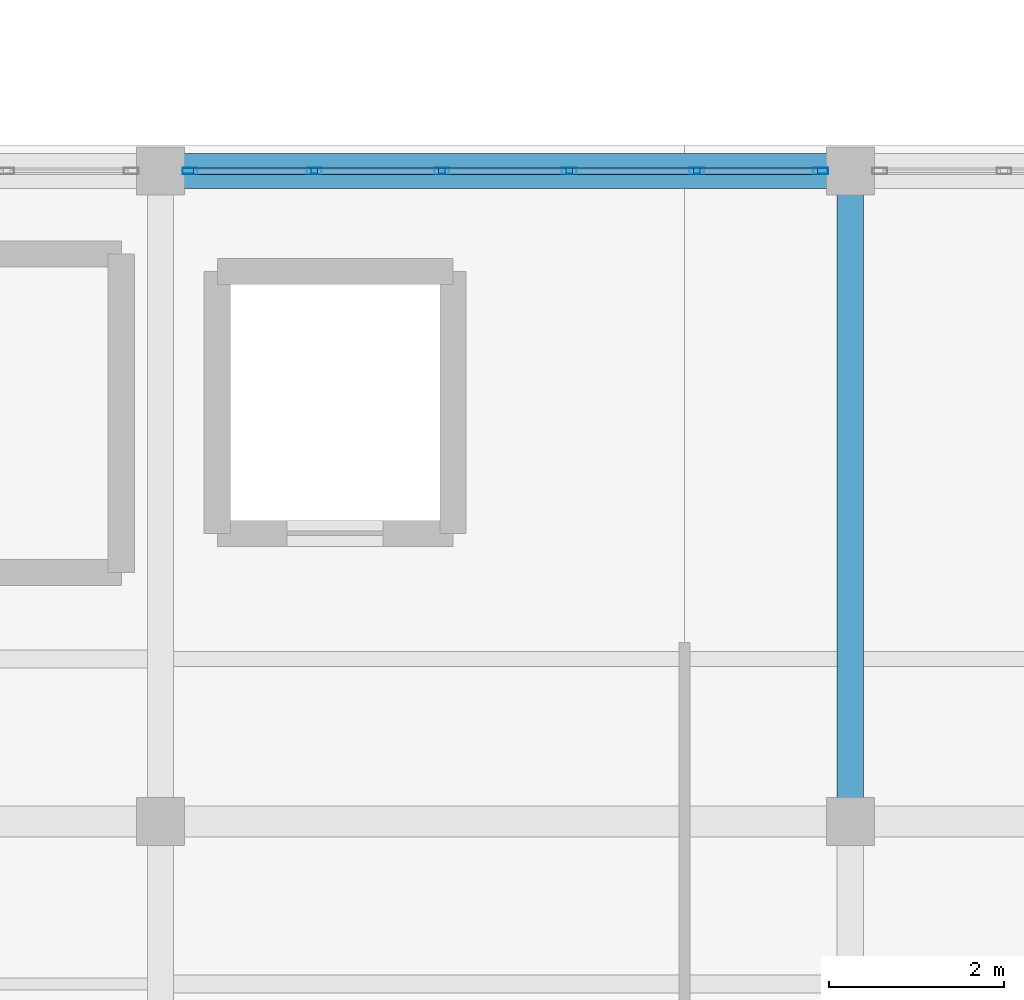
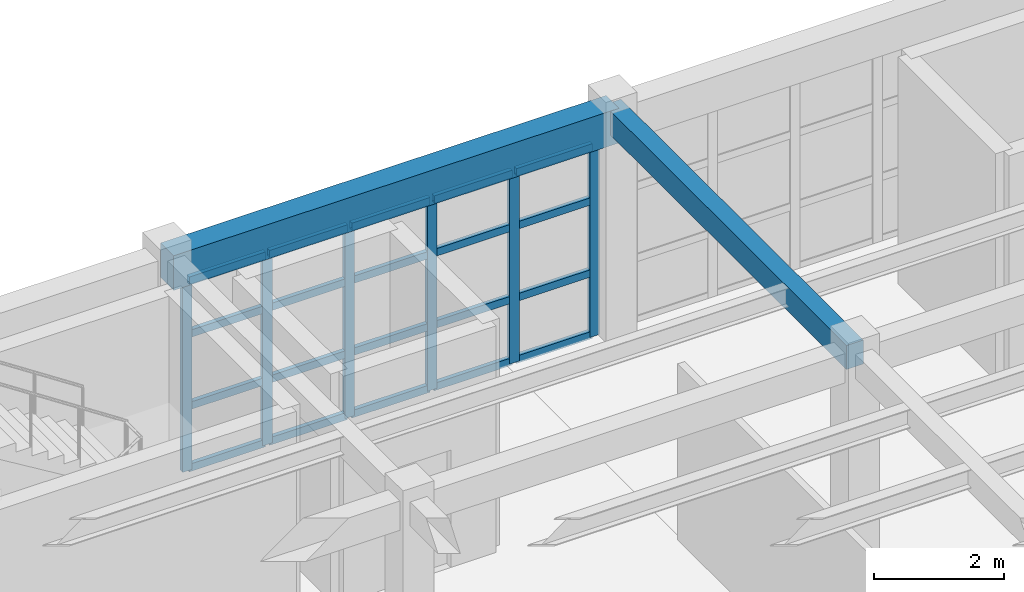
# One storey, part 11 of 85: 26 members, 2 beams, 1 element without a shape of its own.
"""IFC4 building model written with IfcOpenShell, lengths in metres."""

from ifc_helpers import new_model, si_unit, direction, frame, origin, origin_2d, place, context, subcontext, project, spatial, rectangle, hollow_rectangle, extrude, material, layer, layer_set, material_profile, profile_set, type_object, element, aggregate, save


model = new_model("IFC4")

# Units and contexts
model_context = context("Model", 3, precision=1e-05, world=origin(), true_north=direction((0.0, 1.0)))
body_context = subcontext(model_context, "Body", "Model", "MODEL_VIEW")
ifc_project = project(units=[si_unit("LENGTHUNIT", "METRE"), si_unit("AREAUNIT", "SQUARE_METRE"), si_unit("VOLUMEUNIT", "CUBIC_METRE"), si_unit("PLANEANGLEUNIT", "RADIAN"), si_unit("MASSUNIT", "GRAM", prefix="KILO")], contexts=[model_context])

# Site, building, storey
site_placement = place(None, origin())
site = spatial("IfcSite", under=ifc_project, at=site_placement, CompositionType="ELEMENT")
building_placement = place(site_placement, origin())
building = spatial("IfcBuilding", under=site, at=building_placement, Name="Candilejo Ridge Gondola Terminal", CompositionType="ELEMENT")
storey_placement = place(building_placement, frame((0.0, 0.0, 4.5)))
storey = spatial("IfcBuildingStorey", under=building, at=storey_placement, Name="L01", CompositionType="ELEMENT", Elevation=4.5)

# Curtain wall, members
ifc_material_1 = material(Name="Anodised aluminium AA 6063-T6", Category="aluminium")
ifc_layer = layer(ifc_material_1, 0.169921875)
ifc_layer_set = layer_set([ifc_layer], Name="ARC-CW-CONCOURSE-3600-730X359")
curtain_wall_type = type_object("IfcCurtainWallType", Name="ARC-CW-CONCOURSE-3600-730X359", PredefinedType="NOTDEFINED", material=ifc_layer_set)
curtain_wall_placement = place(storey_placement, origin())
curtain_wall = element("IfcCurtainWall", 1, at=curtain_wall_placement, inside=storey, type_object=curtain_wall_type, Name="Curtain wall V1 L01-006", PredefinedType="NOTDEFINED")
ifc_material_2 = material(Name="Anodised aluminium AA 6063-T6", Category="aluminium")
ifc_material_profile_1 = material_profile(ifc_material_2, hollow_rectangle(XDim=0.074951171875, YDim=0.169921875, WallThickness=0.00390625, at=origin_2d()))
ifc_profile_set_1 = profile_set([ifc_material_profile_1], Name="Anodised aluminium AA 6063-T6")
member_type_1 = type_object("IfcMemberType", Name="ARC-CW-MULLION", PredefinedType="MULLION", material=ifc_profile_set_1)
member_1_placement = place(storey_placement, frame((12.53759765625, 25.699951171875, 0.0), z_axis=(0.0, 0.0, 1.0), x_axis=(0.0, 1.0, 0.0)))
member_1 = element("IfcMember", 2, at=member_1_placement, type_object=member_type_1, Name="CW-73X35 mullion 1", PredefinedType="MULLION", context=body_context, shape_type="SweptSolid", body=[
    extrude(hollow_rectangle(XDim=0.074951171875, YDim=0.169921875, WallThickness=0.00390625, at=origin_2d()), origin(), (0.0, 0.0, 1.0), 3.590087890625),
])
member_2_placement = place(storey_placement, frame((13.9599609375, 25.699951171875, 0.0), z_axis=(0.0, 0.0, 1.0), x_axis=(0.0, 1.0, 0.0)))
member_2 = element("IfcMember", 3, at=member_2_placement, type_object=member_type_1, Name="CW-73X35 mullion 2", PredefinedType="MULLION", context=body_context, shape_type="SweptSolid", body=[
    extrude(hollow_rectangle(XDim=0.074951171875, YDim=0.169921875, WallThickness=0.00390625, at=origin_2d()), origin(), (0.0, 0.0, 1.0), 3.590087890625),
])
member_3_placement = place(storey_placement, frame((15.419921875, 25.699951171875, 0.0), z_axis=(0.0, 0.0, 1.0), x_axis=(0.0, 1.0, 0.0)))
member_3 = element("IfcMember", 4, at=member_3_placement, type_object=member_type_1, Name="CW-73X35 mullion 3", PredefinedType="MULLION", context=body_context, shape_type="SweptSolid", body=[
    extrude(hollow_rectangle(XDim=0.074951171875, YDim=0.169921875, WallThickness=0.00390625, at=origin_2d()), origin(), (0.0, 0.0, 1.0), 3.590087890625),
])
member_4_placement = place(storey_placement, frame((16.8798828125, 25.699951171875, 0.0), z_axis=(0.0, 0.0, 1.0), x_axis=(0.0, 1.0, 0.0)))
member_4 = element("IfcMember", 5, at=member_4_placement, type_object=member_type_1, Name="CW-73X35 mullion 4", PredefinedType="MULLION", context=body_context, shape_type="SweptSolid", body=[
    extrude(hollow_rectangle(XDim=0.074951171875, YDim=0.169921875, WallThickness=0.00390625, at=origin_2d()), origin(), (0.0, 0.0, 1.0), 3.590087890625),
])
member_5_placement = place(storey_placement, frame((18.340087890625, 25.699951171875, 0.0), z_axis=(0.0, 0.0, 1.0), x_axis=(0.0, 1.0, 0.0)))
member_5 = element("IfcMember", 6, at=member_5_placement, type_object=member_type_1, Name="CW-73X35 mullion 5", PredefinedType="MULLION", context=body_context, shape_type="SweptSolid", body=[
    extrude(hollow_rectangle(XDim=0.074951171875, YDim=0.169921875, WallThickness=0.00390625, at=origin_2d()), origin(), (0.0, 0.0, 1.0), 3.590087890625),
])
member_6_placement = place(storey_placement, frame((19.762451171875, 25.699951171875, 0.0), z_axis=(0.0, 0.0, 1.0), x_axis=(0.0, 1.0, 0.0)))
member_6 = element("IfcMember", 7, at=member_6_placement, type_object=member_type_1, Name="CW-73X35 mullion 6", PredefinedType="MULLION", context=body_context, shape_type="SweptSolid", body=[
    extrude(hollow_rectangle(XDim=0.074951171875, YDim=0.169921875, WallThickness=0.00390625, at=origin_2d()), origin(), (0.0, 0.0, 1.0), 3.590087890625),
])
ifc_material_3 = material(Name="Anodised aluminium AA 6063-T6", Category="aluminium")
ifc_material_profile_2 = material_profile(ifc_material_3, hollow_rectangle(XDim=0.074951171875, YDim=0.139892578125, WallThickness=0.00390625, at=origin_2d()))
ifc_profile_set_2 = profile_set([ifc_material_profile_2], Name="Anodised aluminium AA 6063-T6")
member_type_2 = type_object("IfcMemberType", Name="ARC-CW-TRANSOM", PredefinedType="USERDEFINED", material=ifc_profile_set_2)
member_7_placement = place(storey_placement, frame((12.574951171875, 25.699951171875, 0.03759765625), z_axis=(1.0, 0.0, 0.0), x_axis=(0.0, 1.0, 0.0)))
member_7 = element("IfcMember", 8, at=member_7_placement, type_object=member_type_2, Name="CW-73X35 transom 1.1", ObjectType="TRANSOM", PredefinedType="USERDEFINED", context=body_context, shape_type="SweptSolid", body=[
    extrude(hollow_rectangle(XDim=0.074951171875, YDim=0.139892578125, WallThickness=0.00390625, at=origin_2d()), origin(), (0.0, 0.0, 1.0), 1.34765625),
])
member_8_placement = place(storey_placement, frame((12.574951171875, 25.699951171875, 1.199951171875), z_axis=(1.0, 0.0, 0.0), x_axis=(0.0, 1.0, 0.0)))
member_8 = element("IfcMember", 9, at=member_8_placement, type_object=member_type_2, Name="CW-73X35 transom 1.2", ObjectType="TRANSOM", PredefinedType="USERDEFINED", context=body_context, shape_type="SweptSolid", body=[
    extrude(hollow_rectangle(XDim=0.074951171875, YDim=0.139892578125, WallThickness=0.00390625, at=origin_2d()), origin(), (0.0, 0.0, 1.0), 1.34765625),
])
member_9_placement = place(storey_placement, frame((12.574951171875, 25.699951171875, 2.550048828125), z_axis=(1.0, 0.0, 0.0), x_axis=(0.0, 1.0, 0.0)))
member_9 = element("IfcMember", 10, at=member_9_placement, type_object=member_type_2, Name="CW-73X35 transom 1.3", ObjectType="TRANSOM", PredefinedType="USERDEFINED", context=body_context, shape_type="SweptSolid", body=[
    extrude(hollow_rectangle(XDim=0.074951171875, YDim=0.139892578125, WallThickness=0.00390625, at=origin_2d()), origin(), (0.0, 0.0, 1.0), 1.34765625),
])
member_10_placement = place(storey_placement, frame((12.574951171875, 25.699951171875, 3.552490234375), z_axis=(1.0, 0.0, 0.0), x_axis=(0.0, 1.0, 0.0)))
member_10 = element("IfcMember", 11, at=member_10_placement, type_object=member_type_2, Name="CW-73X35 transom 1.4", ObjectType="TRANSOM", PredefinedType="USERDEFINED", context=body_context, shape_type="SweptSolid", body=[
    extrude(hollow_rectangle(XDim=0.074951171875, YDim=0.139892578125, WallThickness=0.00390625, at=origin_2d()), origin(), (0.0, 0.0, 1.0), 1.34765625),
])
member_11_placement = place(storey_placement, frame((13.99755859375, 25.699951171875, 0.03759765625), z_axis=(1.0, 0.0, 0.0), x_axis=(0.0, 1.0, 0.0)))
member_11 = element("IfcMember", 12, at=member_11_placement, type_object=member_type_2, Name="CW-73X35 transom 2.1", ObjectType="TRANSOM", PredefinedType="USERDEFINED", context=body_context, shape_type="SweptSolid", body=[
    extrude(hollow_rectangle(XDim=0.074951171875, YDim=0.139892578125, WallThickness=0.00390625, at=origin_2d()), origin(), (0.0, 0.0, 1.0), 1.385009765625),
])
member_12_placement = place(storey_placement, frame((13.99755859375, 25.699951171875, 1.199951171875), z_axis=(1.0, 0.0, 0.0), x_axis=(0.0, 1.0, 0.0)))
member_12 = element("IfcMember", 13, at=member_12_placement, type_object=member_type_2, Name="CW-73X35 transom 2.2", ObjectType="TRANSOM", PredefinedType="USERDEFINED", context=body_context, shape_type="SweptSolid", body=[
    extrude(hollow_rectangle(XDim=0.074951171875, YDim=0.139892578125, WallThickness=0.00390625, at=origin_2d()), origin(), (0.0, 0.0, 1.0), 1.385009765625),
])
member_13_placement = place(storey_placement, frame((13.99755859375, 25.699951171875, 2.550048828125), z_axis=(1.0, 0.0, 0.0), x_axis=(0.0, 1.0, 0.0)))
member_13 = element("IfcMember", 14, at=member_13_placement, type_object=member_type_2, Name="CW-73X35 transom 2.3", ObjectType="TRANSOM", PredefinedType="USERDEFINED", context=body_context, shape_type="SweptSolid", body=[
    extrude(hollow_rectangle(XDim=0.074951171875, YDim=0.139892578125, WallThickness=0.00390625, at=origin_2d()), origin(), (0.0, 0.0, 1.0), 1.385009765625),
])
member_14_placement = place(storey_placement, frame((13.99755859375, 25.699951171875, 3.552490234375), z_axis=(1.0, 0.0, 0.0), x_axis=(0.0, 1.0, 0.0)))
member_14 = element("IfcMember", 15, at=member_14_placement, type_object=member_type_2, Name="CW-73X35 transom 2.4", ObjectType="TRANSOM", PredefinedType="USERDEFINED", context=body_context, shape_type="SweptSolid", body=[
    extrude(hollow_rectangle(XDim=0.074951171875, YDim=0.139892578125, WallThickness=0.00390625, at=origin_2d()), origin(), (0.0, 0.0, 1.0), 1.385009765625),
])
member_15_placement = place(storey_placement, frame((15.45751953125, 25.699951171875, 0.03759765625), z_axis=(1.0, 0.0, 0.0), x_axis=(0.0, 1.0, 0.0)))
member_15 = element("IfcMember", 16, at=member_15_placement, type_object=member_type_2, Name="CW-73X35 transom 3.1", ObjectType="TRANSOM", PredefinedType="USERDEFINED", context=body_context, shape_type="SweptSolid", body=[
    extrude(hollow_rectangle(XDim=0.074951171875, YDim=0.139892578125, WallThickness=0.00390625, at=origin_2d()), origin(), (0.0, 0.0, 1.0), 1.385009765625),
])
member_16_placement = place(storey_placement, frame((15.45751953125, 25.699951171875, 1.199951171875), z_axis=(1.0, 0.0, 0.0), x_axis=(0.0, 1.0, 0.0)))
member_16 = element("IfcMember", 17, at=member_16_placement, type_object=member_type_2, Name="CW-73X35 transom 3.2", ObjectType="TRANSOM", PredefinedType="USERDEFINED", context=body_context, shape_type="SweptSolid", body=[
    extrude(hollow_rectangle(XDim=0.074951171875, YDim=0.139892578125, WallThickness=0.00390625, at=origin_2d()), origin(), (0.0, 0.0, 1.0), 1.385009765625),
])
member_17_placement = place(storey_placement, frame((15.45751953125, 25.699951171875, 2.550048828125), z_axis=(1.0, 0.0, 0.0), x_axis=(0.0, 1.0, 0.0)))
member_17 = element("IfcMember", 18, at=member_17_placement, type_object=member_type_2, Name="CW-73X35 transom 3.3", ObjectType="TRANSOM", PredefinedType="USERDEFINED", context=body_context, shape_type="SweptSolid", body=[
    extrude(hollow_rectangle(XDim=0.074951171875, YDim=0.139892578125, WallThickness=0.00390625, at=origin_2d()), origin(), (0.0, 0.0, 1.0), 1.385009765625),
])
member_18_placement = place(storey_placement, frame((15.45751953125, 25.699951171875, 3.552490234375), z_axis=(1.0, 0.0, 0.0), x_axis=(0.0, 1.0, 0.0)))
member_18 = element("IfcMember", 19, at=member_18_placement, type_object=member_type_2, Name="CW-73X35 transom 3.4", ObjectType="TRANSOM", PredefinedType="USERDEFINED", context=body_context, shape_type="SweptSolid", body=[
    extrude(hollow_rectangle(XDim=0.074951171875, YDim=0.139892578125, WallThickness=0.00390625, at=origin_2d()), origin(), (0.0, 0.0, 1.0), 1.385009765625),
])
member_19_placement = place(storey_placement, frame((16.91748046875, 25.699951171875, 0.03759765625), z_axis=(1.0, 0.0, 0.0), x_axis=(0.0, 1.0, 0.0)))
member_19 = element("IfcMember", 20, at=member_19_placement, type_object=member_type_2, Name="CW-73X35 transom 4.1", ObjectType="TRANSOM", PredefinedType="USERDEFINED", context=body_context, shape_type="SweptSolid", body=[
    extrude(hollow_rectangle(XDim=0.074951171875, YDim=0.139892578125, WallThickness=0.00390625, at=origin_2d()), origin(), (0.0, 0.0, 1.0), 1.385009765625),
])
member_20_placement = place(storey_placement, frame((16.91748046875, 25.699951171875, 1.199951171875), z_axis=(1.0, 0.0, 0.0), x_axis=(0.0, 1.0, 0.0)))
member_20 = element("IfcMember", 21, at=member_20_placement, type_object=member_type_2, Name="CW-73X35 transom 4.2", ObjectType="TRANSOM", PredefinedType="USERDEFINED", context=body_context, shape_type="SweptSolid", body=[
    extrude(hollow_rectangle(XDim=0.074951171875, YDim=0.139892578125, WallThickness=0.00390625, at=origin_2d()), origin(), (0.0, 0.0, 1.0), 1.385009765625),
])
member_21_placement = place(storey_placement, frame((16.91748046875, 25.699951171875, 2.550048828125), z_axis=(1.0, 0.0, 0.0), x_axis=(0.0, 1.0, 0.0)))
member_21 = element("IfcMember", 22, at=member_21_placement, type_object=member_type_2, Name="CW-73X35 transom 4.3", ObjectType="TRANSOM", PredefinedType="USERDEFINED", context=body_context, shape_type="SweptSolid", body=[
    extrude(hollow_rectangle(XDim=0.074951171875, YDim=0.139892578125, WallThickness=0.00390625, at=origin_2d()), origin(), (0.0, 0.0, 1.0), 1.385009765625),
])
member_22_placement = place(storey_placement, frame((16.91748046875, 25.699951171875, 3.552490234375), z_axis=(1.0, 0.0, 0.0), x_axis=(0.0, 1.0, 0.0)))
member_22 = element("IfcMember", 23, at=member_22_placement, type_object=member_type_2, Name="CW-73X35 transom 4.4", ObjectType="TRANSOM", PredefinedType="USERDEFINED", context=body_context, shape_type="SweptSolid", body=[
    extrude(hollow_rectangle(XDim=0.074951171875, YDim=0.139892578125, WallThickness=0.00390625, at=origin_2d()), origin(), (0.0, 0.0, 1.0), 1.385009765625),
])
member_23_placement = place(storey_placement, frame((18.37744140625, 25.699951171875, 0.03759765625), z_axis=(1.0, 0.0, 0.0), x_axis=(0.0, 1.0, 0.0)))
member_23 = element("IfcMember", 24, at=member_23_placement, type_object=member_type_2, Name="CW-73X35 transom 5.1", ObjectType="TRANSOM", PredefinedType="USERDEFINED", context=body_context, shape_type="SweptSolid", body=[
    extrude(hollow_rectangle(XDim=0.074951171875, YDim=0.139892578125, WallThickness=0.00390625, at=origin_2d()), origin(), (0.0, 0.0, 1.0), 1.34765625),
])
member_24_placement = place(storey_placement, frame((18.37744140625, 25.699951171875, 1.199951171875), z_axis=(1.0, 0.0, 0.0), x_axis=(0.0, 1.0, 0.0)))
member_24 = element("IfcMember", 25, at=member_24_placement, type_object=member_type_2, Name="CW-73X35 transom 5.2", ObjectType="TRANSOM", PredefinedType="USERDEFINED", context=body_context, shape_type="SweptSolid", body=[
    extrude(hollow_rectangle(XDim=0.074951171875, YDim=0.139892578125, WallThickness=0.00390625, at=origin_2d()), origin(), (0.0, 0.0, 1.0), 1.34765625),
])
member_25_placement = place(storey_placement, frame((18.37744140625, 25.699951171875, 2.550048828125), z_axis=(1.0, 0.0, 0.0), x_axis=(0.0, 1.0, 0.0)))
member_25 = element("IfcMember", 26, at=member_25_placement, type_object=member_type_2, Name="CW-73X35 transom 5.3", ObjectType="TRANSOM", PredefinedType="USERDEFINED", context=body_context, shape_type="SweptSolid", body=[
    extrude(hollow_rectangle(XDim=0.074951171875, YDim=0.139892578125, WallThickness=0.00390625, at=origin_2d()), origin(), (0.0, 0.0, 1.0), 1.34765625),
])
member_26_placement = place(storey_placement, frame((18.37744140625, 25.699951171875, 3.552490234375), z_axis=(1.0, 0.0, 0.0), x_axis=(0.0, 1.0, 0.0)))
member_26 = element("IfcMember", 27, at=member_26_placement, type_object=member_type_2, Name="CW-73X35 transom 5.4", ObjectType="TRANSOM", PredefinedType="USERDEFINED", context=body_context, shape_type="SweptSolid", body=[
    extrude(hollow_rectangle(XDim=0.074951171875, YDim=0.139892578125, WallThickness=0.00390625, at=origin_2d()), origin(), (0.0, 0.0, 1.0), 1.34765625),
])
aggregate(curtain_wall, [member_1, member_2, member_3, member_4, member_5, member_6, member_7, member_8, member_9, member_10, member_11, member_12, member_13, member_14, member_15, member_16, member_17, member_18, member_19, member_20, member_21, member_22, member_23, member_24, member_25, member_26])

# Beams
ifc_material_4 = material(Name="Concrete f'c 35 MPa (C35/45)", Category="concrete")
ifc_material_profile_3 = material_profile(ifc_material_4, rectangle(XDim=0.300048828125, YDim=0.449951171875, at=origin_2d()))
ifc_profile_set_3 = profile_set([ifc_material_profile_3], Name="Concrete f'c 35 MPa (C35/45)")
beam_type_1 = type_object("IfcBeamType", Name="STR-BM-RC300X450", PredefinedType="BEAM", material=ifc_profile_set_3)
beam_1_placement = place(storey_placement, frame((20.10009765625, 18.25, 4.02490234375), z_axis=(0.0, 1.0, 0.0), x_axis=(-1.0, 0.0, 0.0)))
element("IfcBeam", 28, at=beam_1_placement, inside=storey, type_object=beam_type_1, Name="Beam Y V1 L01 Y03-Y05@X03", PredefinedType="BEAM", context=body_context, shape_type="SweptSolid", body=[
    extrude(rectangle(XDim=0.300048828125, YDim=0.449951171875, at=origin_2d()), origin(), (0.0, 0.0, 1.0), 7.449951171875),
])
ifc_material_5 = material(Name="Concrete f'c 35 MPa (C35/45)", Category="concrete")
ifc_material_profile_4 = material_profile(ifc_material_5, rectangle(XDim=0.39990234375, YDim=0.64990234375, at=origin_2d()))
ifc_profile_set_4 = profile_set([ifc_material_profile_4], Name="Concrete f'c 35 MPa (C35/45)")
beam_type_2 = type_object("IfcBeamType", Name="STR-SPN-RC400X650", PredefinedType="SPANDREL", material=ifc_profile_set_4)
beam_2_placement = place(storey_placement, frame((12.199951171875, 25.699951171875, 3.925048828125), z_axis=(1.0, 0.0, 0.0), x_axis=(0.0, 1.0, 0.0)))
element("IfcBeam", 29, at=beam_2_placement, inside=storey, type_object=beam_type_2, Name="Beam X V1 L01 X02-X03@Y05", PredefinedType="SPANDREL", context=body_context, shape_type="SweptSolid", body=[
    extrude(rectangle(XDim=0.39990234375, YDim=0.64990234375, at=origin_2d()), origin(), (0.0, 0.0, 1.0), 7.900146484375),
])

save(model, "model.ifc")
